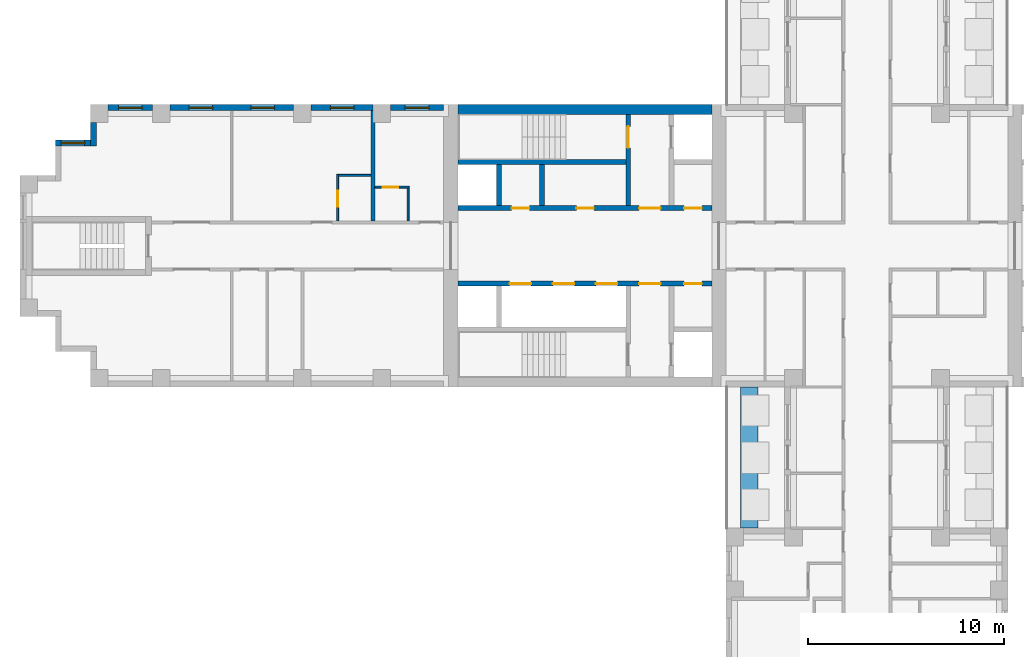
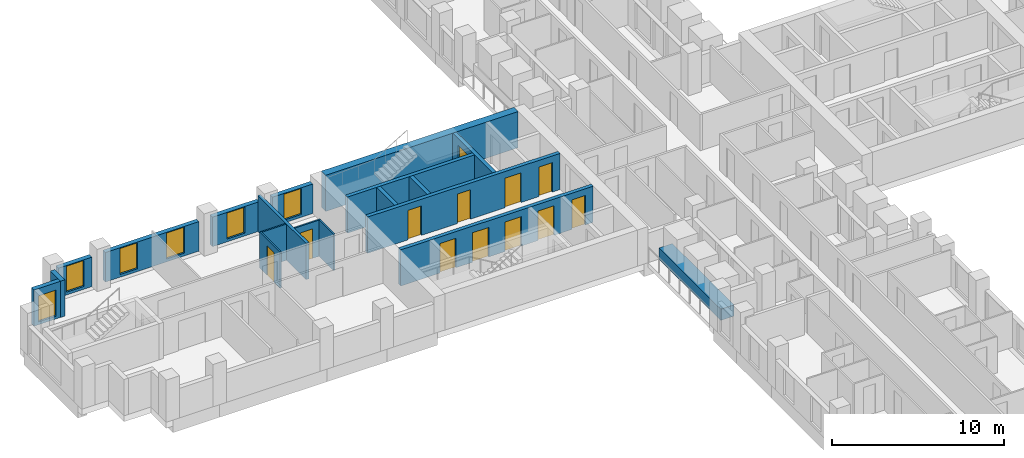
# One storey, part 6 of 15: 19 walls, 12 doors, 6 windows, 18 openings.
"""IFC4 building model written with IfcOpenShell, lengths in metres."""

import ifcopenshell
import ifcopenshell.guid

model = None  # the IFC model being written
_history = None  # IfcOwnerHistory: only IFC2X3 demands one
_inside = {}  # id of a spatial element -> (the spatial element, [elements in it])
_under = {}  # id of a project, library or spatial element -> (it, [spatial elements below it])
_declared = {}  # id of a project -> (the project, [libraries it declares])
_typed = {}  # id of a type object -> (the type object, [elements of that type])
_made_of = {}  # id of a material, layer set ... -> (it, [elements and type objects made of it])


def new_model(schema):
    """Start an empty IFC model of exactly this schema.

    Asked for "IFC4X3", IfcOpenShell would pick the latest addendum, in which some entities
    have other attributes; the version numbers below select the first issue.
    IFC2X3 requires an IfcOwnerHistory on every rooted entity: one is made here for all.
    """
    global model, _history
    if schema == "IFC4X3":
        model = ifcopenshell.file(schema_version=(4, 3, 0, 0))
    else:
        model = ifcopenshell.file(schema=schema)
    _inside.clear()
    _under.clear()
    _declared.clear()
    _typed.clear()
    _made_of.clear()
    _history = None
    if model.schema == "IFC2X3":
        org = make("IfcOrganization", Name="unknown")
        user = make(
            "IfcPersonAndOrganization",
            ThePerson=make("IfcPerson", FamilyName="unknown"),
            TheOrganization=org,
        )
        app = make(
            "IfcApplication",
            ApplicationDeveloper=org,
            Version="unknown",
            ApplicationFullName="unknown",
            ApplicationIdentifier="unknown",
        )
        _history = make(
            "IfcOwnerHistory",
            OwningUser=user,
            OwningApplication=app,
            ChangeAction="ADDED",
            CreationDate=0,
        )
    return model


def make(cls, **values):
    """One entity of the class cls with the attributes given. An attribute that is None is left unset."""
    return model.create_entity(
        cls, **{name: value for name, value in values.items() if value is not None}
    )


def rooted(cls, **values):
    """An entity with a GlobalId (a new one), such as an element, a storey or a relation."""
    return make(cls, GlobalId=ifcopenshell.guid.new(), OwnerHistory=_history, **values)


def si_unit(unit_type, name, prefix=None):
    """IfcSIUnit, for example si_unit("LENGTHUNIT", "METRE", prefix="MILLI")."""
    return make("IfcSIUnit", UnitType=unit_type, Prefix=prefix, Name=name)


def assignment(units):
    """IfcUnitAssignment: the units of a project."""
    return None if units is None else make("IfcUnitAssignment", Units=units)


def point(xyz):
    """IfcCartesianPoint."""
    return None if xyz is None else make("IfcCartesianPoint", Coordinates=xyz)


def direction(xyz):
    """IfcDirection."""
    return None if xyz is None else make("IfcDirection", DirectionRatios=xyz)


def frame(location, z_axis=None, x_axis=None):
    """IfcAxis2Placement3D, a coordinate frame: its origin and axes. An axis left out is left unset."""
    return make(
        "IfcAxis2Placement3D",
        Location=point(location),
        Axis=direction(z_axis),
        RefDirection=direction(x_axis),
    )


def frame_2d(location, x_axis=None):
    """IfcAxis2Placement2D, a coordinate frame in the plane: its origin and x axis."""
    return make(
        "IfcAxis2Placement2D", Location=point(location), RefDirection=direction(x_axis)
    )


def origin():
    """The frame at (0, 0, 0) with its axes left unset."""
    return frame((0.0, 0.0, 0.0))


def place(relative_to, where):
    """IfcLocalPlacement: puts the frame where relative to a parent placement (None: the world)."""
    return make(
        "IfcLocalPlacement", PlacementRelTo=relative_to, RelativePlacement=where
    )


def context(
    kind, dimensions, precision=None, world=None, true_north=None, identifier=None
):
    """IfcGeometricRepresentationContext, for example the 3D "Model" context."""
    return make(
        "IfcGeometricRepresentationContext",
        ContextIdentifier=identifier,
        ContextType=kind,
        CoordinateSpaceDimension=dimensions,
        Precision=precision,
        WorldCoordinateSystem=world,
        TrueNorth=true_north,
    )


def subcontext(parent, identifier, kind, view, scale=None):
    """IfcGeometricRepresentationSubContext, for example "Body" below "Model"."""
    return make(
        "IfcGeometricRepresentationSubContext",
        ContextIdentifier=identifier,
        ContextType=kind,
        ParentContext=parent,
        TargetScale=scale,
        TargetView=view,
    )


def project(units=None, contexts=None):
    """IfcProject with its units and contexts."""
    return rooted(
        "IfcProject",
        Name="project",
        RepresentationContexts=contexts,
        UnitsInContext=assignment(units),
    )


def spatial(cls, under=None, at=None, **own):
    """A site, building, storey or space (cls), placed at a placement, below another one or the project."""
    s = rooted(cls, ObjectPlacement=at, **own)
    if under is not None:
        _under.setdefault(under.id(), (under, []))[1].append(s)
    return s


def profile(cls, at=None, kind="AREA", **sizes):
    """A parametric profile (cls). Its sizes go by their IFC names, for example OverallWidth=200.0."""
    return make(cls, ProfileType=kind, Position=at, **sizes)


def rectangle(**sizes):
    """IfcRectangleProfileDef."""
    return profile("IfcRectangleProfileDef", **sizes)


def extrude(swept, where, along, depth):
    """IfcExtrudedAreaSolid: the profile swept, set in the frame where, extruded along a direction by depth."""
    return make(
        "IfcExtrudedAreaSolid",
        SweptArea=swept,
        Position=where,
        ExtrudedDirection=direction(along),
        Depth=depth,
    )


def shape(context_of_items, identifier, shape_type, items):
    """IfcShapeRepresentation: the items that make up one representation, for example the "Body"."""
    return make(
        "IfcShapeRepresentation",
        ContextOfItems=context_of_items,
        RepresentationIdentifier=identifier,
        RepresentationType=shape_type,
        Items=items,
    )


def material(Name=None, Category=None):
    """IfcMaterial."""
    return make("IfcMaterial", Name=Name, Category=Category)


def layer(
    of_material, thickness, ventilated=None, Name=None, Category=None, Priority=None
):
    """IfcMaterialLayer: one layer of a wall or slab, of a material (None: an air gap)."""
    return make(
        "IfcMaterialLayer",
        Material=of_material,
        LayerThickness=thickness,
        IsVentilated=ventilated,
        Name=Name,
        Category=Category,
        Priority=Priority,
    )


def layer_set(layers, Name=None):
    """IfcMaterialLayerSet."""
    return make("IfcMaterialLayerSet", MaterialLayers=layers, LayerSetName=Name)


def made_of(thing, what):
    """Note that an element or type object is made of a material, layer set ...; save() writes the relation."""
    if what is not None:
        _made_of.setdefault(what.id(), (what, []))[1].append(thing)
    return thing


def type_object(cls, material=None, **own):
    """A type object (cls), such as IfcWallType, which elements share."""
    return made_of(rooted(cls, **own), material)


def element(
    cls,
    number,
    at=None,
    inside=None,
    cuts=None,
    type_object=None,
    material=None,
    context=None,
    identifier="Body",
    shape_type=None,
    held_by="IfcProductDefinitionShape",
    body=None,
    shapes=None,
    **own,
):
    """One element of the class cls, such as IfcWall. Its Tag is "e" and its number.

    at: its placement. inside: the storey or other place that contains it. cuts: it is an
    opening in that element (IfcRelVoidsElement). A single representation is given by context,
    identifier, shape_type and body (its items); several are given by shapes. held_by: the class
    of the entity that holds the representations. save() writes the other relations.
    """
    e = rooted(cls, Tag="e%d" % number, ObjectPlacement=at, **own)
    if body is not None:
        shapes = [shape(context, identifier, shape_type, body)]
    if shapes is not None:
        e.Representation = make(held_by, Representations=shapes)
    if inside is not None:
        _inside.setdefault(inside.id(), (inside, []))[1].append(e)
    if cuts is not None:
        rooted(
            "IfcRelVoidsElement", RelatingBuildingElement=cuts, RelatedOpeningElement=e
        )
    if type_object is not None:
        _typed.setdefault(type_object.id(), (type_object, []))[1].append(e)
    return made_of(e, material)


def fill(opening, filler):
    """IfcRelFillsElement: the door or window that sits in an opening."""
    return rooted(
        "IfcRelFillsElement",
        RelatingOpeningElement=opening,
        RelatedBuildingElement=filler,
    )


def aggregate(whole, parts):
    """IfcRelAggregates: a whole, such as a stair, and the parts it consists of."""
    return rooted("IfcRelAggregates", RelatingObject=whole, RelatedObjects=parts)


def save(model, path):
    """Write the relations noted so far, then the file.

    IfcRelAggregates (storeys below a building ...), IfcRelContainedInSpatialStructure (elements
    in a storey), IfcRelDefinesByType, IfcRelAssociatesMaterial and IfcRelDeclares: one each for
    every whole, place, type object, material and project.
    """
    for whole, parts in _under.values():
        aggregate(whole, parts)
    for where, things in _inside.values():
        rooted(
            "IfcRelContainedInSpatialStructure",
            RelatedElements=things,
            RelatingStructure=where,
        )
    for kind, things in _typed.values():
        rooted("IfcRelDefinesByType", RelatedObjects=things, RelatingType=kind)
    for what, things in _made_of.values():
        rooted("IfcRelAssociatesMaterial", RelatedObjects=things, RelatingMaterial=what)
    for by, libraries in _declared.values():
        rooted("IfcRelDeclares", RelatingContext=by, RelatedDefinitions=libraries)
    model.write(path)


model = new_model("IFC4")

# Units and contexts
model_context = context("Model", 3, precision=1e-05, world=origin(), true_north=direction((0.0, 1.0)))
body_context = subcontext(model_context, "Body", "Model", "MODEL_VIEW")
ifc_project = project(units=[si_unit("LENGTHUNIT", "METRE"), si_unit("AREAUNIT", "SQUARE_METRE"), si_unit("VOLUMEUNIT", "CUBIC_METRE"), si_unit("PLANEANGLEUNIT", "RADIAN"), si_unit("MASSUNIT", "GRAM", prefix="KILO")], contexts=[model_context])

# Site, building, storey
site_placement = place(None, origin())
site = spatial("IfcSite", under=ifc_project, at=site_placement, CompositionType="ELEMENT")
building_placement = place(site_placement, origin())
building = spatial("IfcBuilding", under=site, at=building_placement, Name="Fustian Cross Tower", CompositionType="ELEMENT")
storey_placement = place(building_placement, frame((0.0, 0.0, 53.699951171875)))
storey = spatial("IfcBuildingStorey", under=building, at=storey_placement, Name="L16", CompositionType="ELEMENT", Elevation=53.699951171875)

# Wall
ifc_material_1 = material(Name="Concrete C80/95", Category="concrete")
ifc_layer_1 = layer(ifc_material_1, 0.5)
ifc_layer_set_1 = layer_set([ifc_layer_1], Name="Concrete C80/95")
wall_type_1 = type_object("IfcWallType", Name="CORE FACADE WALL 500 C80/95", PredefinedType="SHEAR", material=ifc_layer_set_1)
wall_1_placement = place(storey_placement, frame((-7.89990234375, 6.949951171875, 0.0), z_axis=(0.0, 0.0, 1.0), x_axis=(-1.0, 0.0, 0.0)))
element("IfcWall", 1, at=wall_1_placement, inside=storey, type_object=wall_type_1, Name="Core facade wall", PredefinedType="SHEAR", context=body_context, shape_type="SweptSolid", body=[
    extrude(rectangle(XDim=12.9501953125, YDim=0.5, at=frame_2d((6.47509765625, 0.0))), origin(), (0.0, 0.0, 1.0), 2.574951171875),
])

# Wall, openings, doors
ifc_material_2 = material(Name="Concrete C50/60", Category="concrete")
ifc_layer_2 = layer(ifc_material_2, 0.25)
ifc_layer_set_2 = layer_set([ifc_layer_2], Name="Concrete C50/60")
wall_type_2 = type_object("IfcWallType", Name="CORE LOBBY WALL 250 C50/60", PredefinedType="SHEAR", material=ifc_layer_set_2)
wall_2_placement = place(storey_placement, frame((-7.89990234375, 1.925048828125, 0.0), z_axis=(0.0, 0.0, 1.0), x_axis=(-1.0, 0.0, 0.0)))
wall_2 = element("IfcWall", 2, at=wall_2_placement, inside=storey, type_object=wall_type_2, Name="Core lobby wall", PredefinedType="SHEAR", context=body_context, shape_type="SweptSolid", body=[
    extrude(rectangle(XDim=12.9501953125, YDim=0.25, at=frame_2d((6.47509765625, 0.0))), origin(), (0.0, 0.0, 1.0), 2.574951171875),
])
opening_1_placement = place(wall_2_placement, frame((0.52490234375, 0.0, 0.0)))
opening_1 = element("IfcOpeningElement", 3, at=opening_1_placement, cuts=wall_2, Name="Opening CD-06-23", PredefinedType="OPENING", context=body_context, shape_type="SweptSolid", body=[
    extrude(rectangle(XDim=0.89990234375, YDim=2.10009765625, at=frame_2d((0.449951171875, 1.050048828125))), frame((0.0, 0.135009765625, 0.0), z_axis=(0.0, -1.0, 0.0), x_axis=(1.0, 0.0, 0.0)), (0.0, 0.0, 1.0), 0.27001953125),
])
opening_2_placement = place(wall_2_placement, frame((2.625, 0.0, 0.0)))
opening_2 = element("IfcOpeningElement", 4, at=opening_2_placement, cuts=wall_2, Name="Opening CD-06-25", PredefinedType="OPENING", context=body_context, shape_type="SweptSolid", body=[
    extrude(rectangle(XDim=1.10009765625, YDim=2.10009765625, at=frame_2d((0.550048828125, 1.050048828125))), frame((0.0, 0.135009765625, 0.0), z_axis=(0.0, -1.0, 0.0), x_axis=(1.0, 0.0, 0.0)), (0.0, 0.0, 1.0), 0.27001953125),
])
opening_3_placement = place(wall_2_placement, frame((6.02490234375, 0.0, 0.0)))
opening_3 = element("IfcOpeningElement", 5, at=opening_3_placement, cuts=wall_2, Name="Opening CD-06-29", PredefinedType="OPENING", context=body_context, shape_type="SweptSolid", body=[
    extrude(rectangle(XDim=0.89990234375, YDim=2.10009765625, at=frame_2d((0.449951171875, 1.050048828125))), frame((0.0, 0.135009765625, 0.0), z_axis=(0.0, -1.0, 0.0), x_axis=(1.0, 0.0, 0.0)), (0.0, 0.0, 1.0), 0.27001953125),
])
opening_4_placement = place(wall_2_placement, frame((9.324951171875, 0.0, 0.0)))
opening_4 = element("IfcOpeningElement", 6, at=opening_4_placement, cuts=wall_2, Name="Opening CD-06-30", PredefinedType="OPENING", context=body_context, shape_type="SweptSolid", body=[
    extrude(rectangle(XDim=0.89990234375, YDim=2.10009765625, at=frame_2d((0.449951171875, 1.050048828125))), frame((0.0, 0.135009765625, 0.0), z_axis=(0.0, -1.0, 0.0), x_axis=(1.0, 0.0, 0.0)), (0.0, 0.0, 1.0), 0.27001953125),
])
ifc_material_3 = material(Name="Steel", Category="steel")
door_type_1 = type_object("IfcDoorType", Name="FIRE DOOR FD30S 900X2100", OperationType="SINGLE_SWING_LEFT", PredefinedType="DOOR", material=ifc_material_3)
door_1_placement = place(opening_3_placement, frame((0.89990234375, 0.0, 0.0), z_axis=(0.0, 0.0, 1.0), x_axis=(-1.0, 0.0, 0.0)))
door_1 = element("IfcDoor", 7, at=door_1_placement, inside=storey, type_object=door_type_1, Name="Core door CD-06-29", OperationType="SINGLE_SWING_LEFT", OverallHeight=2.10009765625, OverallWidth=0.89990234375, PredefinedType="DOOR", context=body_context, shape_type="SweptSolid", body=[
    extrude(rectangle(XDim=0.89990234375, YDim=2.10009765625, at=frame_2d((0.449951171875, 1.050048828125))), frame((0.0, 0.02490234375, 0.0), z_axis=(0.0, -1.0, 0.0), x_axis=(1.0, 0.0, 0.0)), (0.0, 0.0, 1.0), 0.050048828125),
])
fill(opening_3, door_1)
door_2_placement = place(opening_4_placement, frame((0.89990234375, 0.0, 0.0), z_axis=(0.0, 0.0, 1.0), x_axis=(-1.0, 0.0, 0.0)))
door_2 = element("IfcDoor", 8, at=door_2_placement, inside=storey, type_object=door_type_1, Name="Core door CD-06-30", OperationType="SINGLE_SWING_RIGHT", OverallHeight=2.10009765625, OverallWidth=0.89990234375, PredefinedType="DOOR", context=body_context, shape_type="SweptSolid", body=[
    extrude(rectangle(XDim=0.89990234375, YDim=2.10009765625, at=frame_2d((0.449951171875, 1.050048828125))), frame((0.0, 0.02490234375, 0.0), z_axis=(0.0, -1.0, 0.0), x_axis=(1.0, 0.0, 0.0)), (0.0, 0.0, 1.0), 0.050048828125),
])
fill(opening_4, door_2)
ifc_material_4 = material(Name="Steel", Category="steel")
door_type_2 = type_object("IfcDoorType", Name="FIRE DOOR FD60S 1100X2100", OperationType="SINGLE_SWING_LEFT", PredefinedType="DOOR", material=ifc_material_4)
door_3_placement = place(opening_2_placement, frame((1.10009765625, 0.0, 0.0), z_axis=(0.0, 0.0, 1.0), x_axis=(-1.0, 0.0, 0.0)))
door_3 = element("IfcDoor", 9, at=door_3_placement, inside=storey, type_object=door_type_2, Name="Core door CD-06-25", OperationType="SINGLE_SWING_RIGHT", OverallHeight=2.10009765625, OverallWidth=1.10009765625, PredefinedType="DOOR", context=body_context, shape_type="SweptSolid", body=[
    extrude(rectangle(XDim=1.10009765625, YDim=2.10009765625, at=frame_2d((0.550048828125, 1.050048828125))), frame((0.0, 0.02490234375, 0.0), z_axis=(0.0, -1.0, 0.0), x_axis=(1.0, 0.0, 0.0)), (0.0, 0.0, 1.0), 0.050048828125),
])
fill(opening_2, door_3)
ifc_material_5 = material(Name="Steel", Category="steel")
door_type_3 = type_object("IfcDoorType", Name="FIRE DOOR FD60S 900X2100", OperationType="SINGLE_SWING_LEFT", PredefinedType="DOOR", material=ifc_material_5)
door_4_placement = place(opening_1_placement, frame((0.89990234375, 0.0, 0.0), z_axis=(0.0, 0.0, 1.0), x_axis=(-1.0, 0.0, 0.0)))
door_4 = element("IfcDoor", 10, at=door_4_placement, inside=storey, type_object=door_type_3, Name="Core door CD-06-23", OperationType="SINGLE_SWING_RIGHT", OverallHeight=2.10009765625, OverallWidth=0.89990234375, PredefinedType="DOOR", context=body_context, shape_type="SweptSolid", body=[
    extrude(rectangle(XDim=0.89990234375, YDim=2.10009765625, at=frame_2d((0.449951171875, 1.050048828125))), frame((0.0, 0.02490234375, 0.0), z_axis=(0.0, -1.0, 0.0), x_axis=(1.0, 0.0, 0.0)), (0.0, 0.0, 1.0), 0.050048828125),
])
fill(opening_1, door_4)

wall_3_placement = place(storey_placement, frame((-7.89990234375, -1.925048828125, 0.0), z_axis=(0.0, 0.0, 1.0), x_axis=(-1.0, 0.0, 0.0)))
wall_3 = element("IfcWall", 11, at=wall_3_placement, inside=storey, type_object=wall_type_2, Name="Core lobby wall", PredefinedType="SHEAR", context=body_context, shape_type="SweptSolid", body=[
    extrude(rectangle(XDim=12.9501953125, YDim=0.25, at=frame_2d((6.47509765625, 0.0))), origin(), (0.0, 0.0, 1.0), 2.574951171875),
])
opening_5_placement = place(wall_3_placement, frame((4.824951171875, 0.0, 0.0)))
opening_5 = element("IfcOpeningElement", 12, at=opening_5_placement, cuts=wall_3, Name="Opening LD", PredefinedType="OPENING", context=body_context, shape_type="SweptSolid", body=[
    extrude(rectangle(XDim=1.10009765625, YDim=2.10009765625, at=frame_2d((0.550048828125, 1.050048828125))), frame((0.0, 0.135009765625, 0.0), z_axis=(0.0, -1.0, 0.0), x_axis=(1.0, 0.0, 0.0)), (0.0, 0.0, 1.0), 0.27001953125),
])
opening_6_placement = place(wall_3_placement, frame((7.02490234375, 0.0, 0.0)))
opening_6 = element("IfcOpeningElement", 13, at=opening_6_placement, cuts=wall_3, Name="Opening LD", PredefinedType="OPENING", context=body_context, shape_type="SweptSolid", body=[
    extrude(rectangle(XDim=1.10009765625, YDim=2.10009765625, at=frame_2d((0.550048828125, 1.050048828125))), frame((0.0, 0.135009765625, 0.0), z_axis=(0.0, -1.0, 0.0), x_axis=(1.0, 0.0, 0.0)), (0.0, 0.0, 1.0), 0.27001953125),
])
opening_7_placement = place(wall_3_placement, frame((9.22509765625, 0.0, 0.0)))
opening_7 = element("IfcOpeningElement", 14, at=opening_7_placement, cuts=wall_3, Name="Opening LD", PredefinedType="OPENING", context=body_context, shape_type="SweptSolid", body=[
    extrude(rectangle(XDim=1.10009765625, YDim=2.10009765625, at=frame_2d((0.550048828125, 1.050048828125))), frame((0.0, 0.135009765625, 0.0), z_axis=(0.0, -1.0, 0.0), x_axis=(1.0, 0.0, 0.0)), (0.0, 0.0, 1.0), 0.27001953125),
])
opening_8_placement = place(wall_3_placement, frame((0.52490234375, 0.0, 0.0)))
opening_8 = element("IfcOpeningElement", 15, at=opening_8_placement, cuts=wall_3, Name="Opening CD-06-24", PredefinedType="OPENING", context=body_context, shape_type="SweptSolid", body=[
    extrude(rectangle(XDim=0.89990234375, YDim=2.10009765625, at=frame_2d((0.449951171875, 1.050048828125))), frame((0.0, 0.135009765625, 0.0), z_axis=(0.0, -1.0, 0.0), x_axis=(1.0, 0.0, 0.0)), (0.0, 0.0, 1.0), 0.27001953125),
])
opening_9_placement = place(wall_3_placement, frame((2.625, 0.0, 0.0)))
opening_9 = element("IfcOpeningElement", 16, at=opening_9_placement, cuts=wall_3, Name="Opening CD-06-26", PredefinedType="OPENING", context=body_context, shape_type="SweptSolid", body=[
    extrude(rectangle(XDim=1.10009765625, YDim=2.10009765625, at=frame_2d((0.550048828125, 1.050048828125))), frame((0.0, 0.135009765625, 0.0), z_axis=(0.0, -1.0, 0.0), x_axis=(1.0, 0.0, 0.0)), (0.0, 0.0, 1.0), 0.27001953125),
])
ifc_material_6 = material(Name="Steel", Category="steel")
door_type_4 = type_object("IfcDoorType", Name="FIRE DOOR FD30S 1100X2100", OperationType="SINGLE_SWING_LEFT", PredefinedType="DOOR", material=ifc_material_6)
door_5_placement = place(opening_9_placement, frame((1.10009765625, 0.0, 0.0), z_axis=(0.0, 0.0, 1.0), x_axis=(-1.0, 0.0, 0.0)))
door_5 = element("IfcDoor", 17, at=door_5_placement, inside=storey, type_object=door_type_4, Name="Core door CD-06-26", OperationType="SINGLE_SWING_RIGHT", OverallHeight=2.10009765625, OverallWidth=1.10009765625, PredefinedType="DOOR", context=body_context, shape_type="SweptSolid", body=[
    extrude(rectangle(XDim=1.10009765625, YDim=2.10009765625, at=frame_2d((0.550048828125, 1.050048828125))), frame((0.0, 0.02490234375, 0.0), z_axis=(0.0, -1.0, 0.0), x_axis=(1.0, 0.0, 0.0)), (0.0, 0.0, 1.0), 0.050048828125),
])
fill(opening_9, door_5)
door_6_placement = place(opening_8_placement, origin())
door_6 = element("IfcDoor", 18, at=door_6_placement, inside=storey, type_object=door_type_1, Name="Core door CD-06-24", OperationType="SINGLE_SWING_LEFT", OverallHeight=2.10009765625, OverallWidth=0.89990234375, PredefinedType="DOOR", context=body_context, shape_type="SweptSolid", body=[
    extrude(rectangle(XDim=0.89990234375, YDim=2.10009765625, at=frame_2d((0.449951171875, 1.050048828125))), frame((0.0, 0.02490234375, 0.0), z_axis=(0.0, -1.0, 0.0), x_axis=(1.0, 0.0, 0.0)), (0.0, 0.0, 1.0), 0.050048828125),
])
fill(opening_8, door_6)
ifc_material_7 = material(Name="Stainless steel", Category="steel")
door_type_5 = type_object("IfcDoorType", Name="LIFT LANDING DOOR 1100X2100", OperationType="SLIDING_TO_LEFT", PredefinedType="DOOR", material=ifc_material_7)
door_7_placement = place(opening_5_placement, origin())
door_7 = element("IfcDoor", 19, at=door_7_placement, inside=storey, type_object=door_type_5, Name="Landing door LR1W", OperationType="SLIDING_TO_LEFT", OverallHeight=2.10009765625, OverallWidth=1.10009765625, PredefinedType="DOOR", context=body_context, shape_type="SweptSolid", body=[
    extrude(rectangle(XDim=1.10009765625, YDim=2.10009765625, at=frame_2d((0.550048828125, 1.050048828125))), frame((0.0, 0.02490234375, 0.0), z_axis=(0.0, -1.0, 0.0), x_axis=(1.0, 0.0, 0.0)), (0.0, 0.0, 1.0), 0.050048828125),
])
fill(opening_5, door_7)
door_8_placement = place(opening_6_placement, origin())
door_8 = element("IfcDoor", 20, at=door_8_placement, inside=storey, type_object=door_type_5, Name="Landing door LR2W", OperationType="SLIDING_TO_LEFT", OverallHeight=2.10009765625, OverallWidth=1.10009765625, PredefinedType="DOOR", context=body_context, shape_type="SweptSolid", body=[
    extrude(rectangle(XDim=1.10009765625, YDim=2.10009765625, at=frame_2d((0.550048828125, 1.050048828125))), frame((0.0, 0.02490234375, 0.0), z_axis=(0.0, -1.0, 0.0), x_axis=(1.0, 0.0, 0.0)), (0.0, 0.0, 1.0), 0.050048828125),
])
fill(opening_6, door_8)
door_9_placement = place(opening_7_placement, origin())
door_9 = element("IfcDoor", 21, at=door_9_placement, inside=storey, type_object=door_type_5, Name="Landing door LR3W", OperationType="SLIDING_TO_LEFT", OverallHeight=2.10009765625, OverallWidth=1.10009765625, PredefinedType="DOOR", context=body_context, shape_type="SweptSolid", body=[
    extrude(rectangle(XDim=1.10009765625, YDim=2.10009765625, at=frame_2d((0.550048828125, 1.050048828125))), frame((0.0, 0.02490234375, 0.0), z_axis=(0.0, -1.0, 0.0), x_axis=(1.0, 0.0, 0.0)), (0.0, 0.0, 1.0), 0.050048828125),
])
fill(opening_7, door_9)

# Wall
ifc_material_8 = material(Name="Concrete C50/60", Category="concrete")
ifc_layer_3 = layer(ifc_material_8, 0.25)
ifc_layer_set_3 = layer_set([ifc_layer_3], Name="Concrete C50/60")
wall_type_3 = type_object("IfcWallType", Name="CORE SHAFT WALL 250 C50/60", PredefinedType="SHEAR", material=ifc_layer_set_3)
wall_4_placement = place(storey_placement, frame((-12.300048828125, 4.27490234375, 0.0), z_axis=(0.0, 0.0, 1.0), x_axis=(-1.0, 0.0, 0.0)))
element("IfcWall", 22, at=wall_4_placement, inside=storey, type_object=wall_type_3, Name="Core shaft wall", PredefinedType="SHEAR", context=body_context, shape_type="SweptSolid", body=[
    extrude(rectangle(XDim=8.550048828125, YDim=0.25, at=frame_2d((4.27490234375, 0.0))), origin(), (0.0, 0.0, 1.0), 2.574951171875),
])

# Wall, opening, door
wall_5_placement = place(storey_placement, frame((-12.175048828125, 2.050048828125, 0.0), z_axis=(0.0, 0.0, 1.0), x_axis=(0.0, 1.0, 0.0)))
wall_5 = element("IfcWall", 23, at=wall_5_placement, inside=storey, type_object=wall_type_3, Name="Core shaft wall", PredefinedType="SHEAR", context=body_context, shape_type="SweptSolid", body=[
    extrude(rectangle(XDim=4.64990234375, YDim=0.25, at=frame_2d((2.324951171875, 0.0))), origin(), (0.0, 0.0, 1.0), 2.574951171875),
])
opening_10_placement = place(wall_5_placement, frame((2.949951171875, 0.0, 0.0)))
opening_10 = element("IfcOpeningElement", 24, at=opening_10_placement, cuts=wall_5, Name="Opening CD-06-21", PredefinedType="OPENING", context=body_context, shape_type="SweptSolid", body=[
    extrude(rectangle(XDim=1.10009765625, YDim=2.10009765625, at=frame_2d((0.550048828125, 1.050048828125))), frame((0.0, 0.135009765625, 0.0), z_axis=(0.0, -1.0, 0.0), x_axis=(1.0, 0.0, 0.0)), (0.0, 0.0, 1.0), 0.27001953125),
])
door_10_placement = place(opening_10_placement, origin())
door_10 = element("IfcDoor", 25, at=door_10_placement, inside=storey, type_object=door_type_2, Name="Core door CD-06-21", OperationType="SINGLE_SWING_LEFT", OverallHeight=2.10009765625, OverallWidth=1.10009765625, PredefinedType="DOOR", context=body_context, shape_type="SweptSolid", body=[
    extrude(rectangle(XDim=1.10009765625, YDim=2.10009765625, at=frame_2d((0.550048828125, 1.050048828125))), frame((0.0, 0.02490234375, 0.0), z_axis=(0.0, -1.0, 0.0), x_axis=(1.0, 0.0, 0.0)), (0.0, 0.0, 1.0), 0.050048828125),
])
fill(opening_10, door_10)

ifc_material_9 = material(Name="Plasterboard on steel stud", Category="steel")
ifc_layer_4 = layer(ifc_material_9, 0.10009765625)
ifc_layer_set_4 = layer_set([ifc_layer_4], Name="Plasterboard on steel stud")
wall_type_4 = type_object("IfcWallType", Name="PARTITION 100 STUD", PredefinedType="PARTITIONING", material=ifc_layer_set_4)
wall_6_placement = place(storey_placement, frame((-27.0, 1.27490234375, 0.0), z_axis=(0.0, 0.0, 1.0), x_axis=(0.0, 1.0, 0.0)))
wall_6 = element("IfcWall", 26, at=wall_6_placement, inside=storey, type_object=wall_type_4, Name="Partition 7", PredefinedType="PARTITIONING", context=body_context, shape_type="SweptSolid", body=[
    extrude(rectangle(XDim=2.375, YDim=0.10009765625, at=frame_2d((1.1875, 0.0))), origin(), (0.0, 0.0, 1.0), 2.574951171875),
])
opening_11_placement = place(wall_6_placement, frame((0.72509765625, 0.0, 0.0)))
opening_11 = element("IfcOpeningElement", 27, at=opening_11_placement, cuts=wall_6, Name="Opening D09050", PredefinedType="OPENING", context=body_context, shape_type="SweptSolid", body=[
    extrude(rectangle(XDim=0.800048828125, YDim=2.10009765625, at=frame_2d((0.39990234375, 1.050048828125))), frame((0.0, 0.06005859375, 0.0), z_axis=(0.0, -1.0, 0.0), x_axis=(1.0, 0.0, 0.0)), (0.0, 0.0, 1.0), 0.1201171875),
])
ifc_material_10 = material(Name="Painted timber", Category="wood")
door_type_6 = type_object("IfcDoorType", Name="SWING DOOR 800", OperationType="SINGLE_SWING_LEFT", PredefinedType="DOOR", material=ifc_material_10)
door_11_placement = place(opening_11_placement, frame((0.800048828125, 0.0, 0.0), z_axis=(0.0, 0.0, 1.0), x_axis=(-1.0, 0.0, 0.0)))
door_11 = element("IfcDoor", 28, at=door_11_placement, inside=storey, type_object=door_type_6, Name="Door D09050", OperationType="SINGLE_SWING_RIGHT", OverallHeight=2.10009765625, OverallWidth=0.800048828125, PredefinedType="DOOR", context=body_context, shape_type="SweptSolid", body=[
    extrude(rectangle(XDim=0.800048828125, YDim=2.10009765625, at=frame_2d((0.39990234375, 1.050048828125))), frame((0.0, 0.02490234375, 0.0), z_axis=(0.0, -1.0, 0.0), x_axis=(1.0, 0.0, 0.0)), (0.0, 0.0, 1.0), 0.050048828125),
])
fill(opening_11, door_11)

# Wall
wall_7_placement = place(storey_placement, frame((-26.949951171875, 3.60009765625, 0.0), z_axis=(0.0, 0.0, 1.0), x_axis=(1.0, 0.0, 0.0)))
element("IfcWall", 29, at=wall_7_placement, inside=storey, type_object=wall_type_4, Name="Partition 8", PredefinedType="PARTITIONING", context=body_context, shape_type="SweptSolid", body=[
    extrude(rectangle(XDim=1.64990234375, YDim=0.10009765625, at=frame_2d((0.824951171875, 0.0))), origin(), (0.0, 0.0, 1.0), 2.574951171875),
])

# Wall, opening, door
wall_8_placement = place(storey_placement, frame((-25.10009765625, 3.0, 0.0), z_axis=(0.0, 0.0, 1.0), x_axis=(1.0, 0.0, 0.0)))
wall_8 = element("IfcWall", 30, at=wall_8_placement, inside=storey, type_object=wall_type_4, Name="Partition 10", PredefinedType="PARTITIONING", context=body_context, shape_type="SweptSolid", body=[
    extrude(rectangle(XDim=1.75, YDim=0.10009765625, at=frame_2d((0.875, 0.0))), origin(), (0.0, 0.0, 1.0), 2.574951171875),
])
opening_12_placement = place(wall_8_placement, frame((0.39990234375, 0.0, 0.0)))
opening_12 = element("IfcOpeningElement", 31, at=opening_12_placement, cuts=wall_8, Name="Opening D09048", PredefinedType="OPENING", context=body_context, shape_type="SweptSolid", body=[
    extrude(rectangle(XDim=0.800048828125, YDim=2.10009765625, at=frame_2d((0.39990234375, 1.050048828125))), frame((0.0, 0.06005859375, 0.0), z_axis=(0.0, -1.0, 0.0), x_axis=(1.0, 0.0, 0.0)), (0.0, 0.0, 1.0), 0.1201171875),
])
door_12_placement = place(opening_12_placement, frame((0.800048828125, 0.0, 0.0), z_axis=(0.0, 0.0, 1.0), x_axis=(-1.0, 0.0, 0.0)))
door_12 = element("IfcDoor", 32, at=door_12_placement, inside=storey, type_object=door_type_6, Name="Door D09048", OperationType="SINGLE_SWING_LEFT", OverallHeight=2.10009765625, OverallWidth=0.800048828125, PredefinedType="DOOR", context=body_context, shape_type="SweptSolid", body=[
    extrude(rectangle(XDim=0.800048828125, YDim=2.10009765625, at=frame_2d((0.39990234375, 1.050048828125))), frame((0.0, 0.02490234375, 0.0), z_axis=(0.0, -1.0, 0.0), x_axis=(1.0, 0.0, 0.0)), (0.0, 0.0, 1.0), 0.050048828125),
])
fill(opening_12, door_12)

# Walls
wall_9_placement = place(storey_placement, frame((-23.39990234375, 1.27490234375, 0.0), z_axis=(0.0, 0.0, 1.0), x_axis=(0.0, 1.0, 0.0)))
element("IfcWall", 33, at=wall_9_placement, inside=storey, type_object=wall_type_4, Name="Partition 11", PredefinedType="PARTITIONING", context=body_context, shape_type="SweptSolid", body=[
    extrude(rectangle(XDim=1.675048828125, YDim=0.10009765625, at=frame_2d((0.83740234375, 0.0))), origin(), (0.0, 0.0, 1.0), 2.574951171875),
])
ifc_material_11 = material(Name="Plasterboard on steel stud", Category="steel")
ifc_layer_5 = layer(ifc_material_11, 0.199951171875)
ifc_layer_set_5 = layer_set([ifc_layer_5], Name="Plasterboard on steel stud")
wall_type_5 = type_object("IfcWallType", Name="PARTY WALL 200 EI 60", PredefinedType="PARTITIONING", material=ifc_layer_set_5)
wall_10_placement = place(storey_placement, frame((-25.199951171875, 1.27490234375, 0.0), z_axis=(0.0, 0.0, 1.0), x_axis=(0.0, 1.0, 0.0)))
element("IfcWall", 34, at=wall_10_placement, inside=storey, type_object=wall_type_5, Name="Partition 9", PredefinedType="PARTITIONING", context=body_context, shape_type="SweptSolid", body=[
    extrude(rectangle(XDim=5.625, YDim=0.199951171875, at=frame_2d((2.8125, 0.0))), origin(), (0.0, 0.0, 1.0), 2.574951171875),
])
ifc_material_12 = material(Name="Concrete C40/50", Category="concrete")
ifc_layer_6 = layer(ifc_material_12, 0.89990234375)
ifc_layer_set_6 = layer_set([ifc_layer_6], Name="Concrete C40/50")
wall_type_6 = type_object("IfcWallType", Name="PK1 PLANTER 900", PredefinedType="PARAPET", material=ifc_layer_set_6)
wall_11_placement = place(storey_placement, frame((-6.0, -14.39990234375, 0.0), z_axis=(0.0, 0.0, 1.0), x_axis=(0.0, 1.0, 0.0)))
element("IfcWall", 35, at=wall_11_placement, inside=storey, type_object=wall_type_6, Name="PLANTER", PredefinedType="PARAPET", context=body_context, shape_type="SweptSolid", body=[
    extrude(rectangle(XDim=7.199951171875, YDim=0.89990234375, at=frame_2d((3.60009765625, 0.0))), origin(), (0.0, 0.0, 1.0), 0.800048828125),
])
ifc_material_13 = material(Name="Concrete C40/50", Category="concrete")
ifc_layer_7 = layer(ifc_material_13, 0.25)
ifc_layer_set_7 = layer_set([ifc_layer_7], Name="Concrete C40/50")
wall_type_7 = type_object("IfcWallType", Name="SHAFT PARTITION WALL 250 C40/50", PredefinedType="PARTITIONING", material=ifc_layer_set_7)
for number, where, z_axis, x_axis, name in (
    (36, (-16.574951171875, 2.050048828125, 0.0), (0.0, 0.0, 1.0), (0.0, 1.0, 0.0), "Core shaft wall"),
    (37, (-18.77490234375, 2.050048828125, 0.0), (0.0, 0.0, 1.0), (0.0, 1.0, 0.0), "Core shaft wall"),
):
    element("IfcWall", number, at=place(storey_placement, frame(where, z_axis=z_axis, x_axis=x_axis)), inside=storey, type_object=wall_type_7, Name=name, PredefinedType="PARTITIONING", context=body_context, shape_type="SweptSolid", body=[
        extrude(rectangle(XDim=2.099853515625, YDim=0.25, at=frame_2d((1.0498046875, 0.0))), origin(), (0.0, 0.0, 1.0), 2.574951171875),
    ])

# Wall, opening, window
ifc_material_14 = material(Name="Dark aluminium cladding on insulated backing wall", Category="aluminium")
ifc_layer_8 = layer(ifc_material_14, 0.300048828125)
ifc_layer_set_8 = layer_set([ifc_layer_8], Name="Dark aluminium cladding on insulated backing wall")
wall_type_8 = type_object("IfcWallType", Name="XW1 EXTERNAL WALL 300", PredefinedType="SOLIDWALL", material=ifc_layer_set_8)
wall_12_placement = place(storey_placement, frame((-21.60009765625, 7.050048828125, 0.0), z_axis=(0.0, 0.0, 1.0), x_axis=(-1.0, 0.0, 0.0)))
wall_12 = element("IfcWall", 38, at=wall_12_placement, inside=storey, type_object=wall_type_8, Name="External wall", PredefinedType="SOLIDWALL", context=body_context, shape_type="SweptSolid", body=[
    extrude(rectangle(XDim=2.699951171875, YDim=0.300048828125, at=frame_2d((1.35009765625, 0.0))), origin(), (0.0, 0.0, 1.0), 2.10009765625),
])
opening_13_placement = place(wall_12_placement, frame((0.75, 0.0, 0.199951171875)))
opening_13 = element("IfcOpeningElement", 39, at=opening_13_placement, cuts=wall_12, Name="Opening WN3", PredefinedType="OPENING", context=body_context, shape_type="SweptSolid", body=[
    extrude(rectangle(XDim=1.199951171875, YDim=1.85009765625, at=frame_2d((0.60009765625, 0.925048828125))), frame((0.0, 0.159912109375, 0.0), z_axis=(0.0, -1.0, 0.0), x_axis=(1.0, 0.0, 0.0)), (0.0, 0.0, 1.0), 0.320068359375),
])
ifc_material_15 = material(Name="Dark anodised aluminium and double glazing", Category="aluminium")
window_type = type_object("IfcWindowType", Name="WN3 WINDOW 1200X1850", PartitioningType="SINGLE_PANEL", PredefinedType="WINDOW", material=ifc_material_15)
window_1_placement = place(opening_13_placement, origin())
window_1 = element("IfcWindow", 40, at=window_1_placement, inside=storey, type_object=window_type, Name="Window", OverallHeight=1.85009765625, OverallWidth=1.199951171875, PartitioningType="SINGLE_PANEL", PredefinedType="WINDOW", context=body_context, shape_type="SweptSolid", body=[
    extrude(rectangle(XDim=1.199951171875, YDim=1.85009765625, at=frame_2d((0.60009765625, 0.925048828125))), frame((0.0, 0.030029296875, 0.0), z_axis=(0.0, -1.0, 0.0), x_axis=(1.0, 0.0, 0.0)), (0.0, 0.0, 1.0), 0.06005859375),
])
fill(opening_13, window_1)

wall_13_placement = place(storey_placement, frame((-25.199951171875, 7.050048828125, 0.0), z_axis=(0.0, 0.0, 1.0), x_axis=(-1.0, 0.0, 0.0)))
wall_13 = element("IfcWall", 41, at=wall_13_placement, inside=storey, type_object=wall_type_8, Name="External wall", PredefinedType="SOLIDWALL", context=body_context, shape_type="SweptSolid", body=[
    extrude(rectangle(XDim=3.150146484375, YDim=0.300048828125, at=frame_2d((1.5751953125, 0.0))), origin(), (0.0, 0.0, 1.0), 2.10009765625),
])
opening_14_placement = place(wall_13_placement, frame((0.97509765625, 0.0, 0.199951171875)))
opening_14 = element("IfcOpeningElement", 42, at=opening_14_placement, cuts=wall_13, Name="Opening WN3", PredefinedType="OPENING", context=body_context, shape_type="SweptSolid", body=[
    extrude(rectangle(XDim=1.199951171875, YDim=1.85009765625, at=frame_2d((0.60009765625, 0.925048828125))), frame((0.0, 0.159912109375, 0.0), z_axis=(0.0, -1.0, 0.0), x_axis=(1.0, 0.0, 0.0)), (0.0, 0.0, 1.0), 0.320068359375),
])
window_2_placement = place(opening_14_placement, origin())
window_2 = element("IfcWindow", 43, at=window_2_placement, inside=storey, type_object=window_type, Name="Window", OverallHeight=1.85009765625, OverallWidth=1.199951171875, PartitioningType="SINGLE_PANEL", PredefinedType="WINDOW", context=body_context, shape_type="SweptSolid", body=[
    extrude(rectangle(XDim=1.199951171875, YDim=1.85009765625, at=frame_2d((0.60009765625, 0.925048828125))), frame((0.0, 0.030029296875, 0.0), z_axis=(0.0, -1.0, 0.0), x_axis=(1.0, 0.0, 0.0)), (0.0, 0.0, 1.0), 0.06005859375),
])
fill(opening_14, window_2)

# Wall, openings, windows
wall_14_placement = place(storey_placement, frame((-29.25, 7.050048828125, 0.0), z_axis=(0.0, 0.0, 1.0), x_axis=(-1.0, 0.0, 0.0)))
wall_14 = element("IfcWall", 44, at=wall_14_placement, inside=storey, type_object=wall_type_8, Name="External wall", PredefinedType="SOLIDWALL", context=body_context, shape_type="SweptSolid", body=[
    extrude(rectangle(XDim=6.300048828125, YDim=0.300048828125, at=frame_2d((3.14990234375, 0.0))), origin(), (0.0, 0.0, 1.0), 2.10009765625),
])
opening_15_placement = place(wall_14_placement, frame((0.97509765625, 0.0, 0.199951171875)))
opening_15 = element("IfcOpeningElement", 45, at=opening_15_placement, cuts=wall_14, Name="Opening WN3", PredefinedType="OPENING", context=body_context, shape_type="SweptSolid", body=[
    extrude(rectangle(XDim=1.199951171875, YDim=1.85009765625, at=frame_2d((0.60009765625, 0.925048828125))), frame((0.0, 0.159912109375, 0.0), z_axis=(0.0, -1.0, 0.0), x_axis=(1.0, 0.0, 0.0)), (0.0, 0.0, 1.0), 0.320068359375),
])
opening_16_placement = place(wall_14_placement, frame((4.125, 0.0, 0.199951171875)))
opening_16 = element("IfcOpeningElement", 46, at=opening_16_placement, cuts=wall_14, Name="Opening WN3", PredefinedType="OPENING", context=body_context, shape_type="SweptSolid", body=[
    extrude(rectangle(XDim=1.199951171875, YDim=1.85009765625, at=frame_2d((0.60009765625, 0.925048828125))), frame((0.0, 0.159912109375, 0.0), z_axis=(0.0, -1.0, 0.0), x_axis=(1.0, 0.0, 0.0)), (0.0, 0.0, 1.0), 0.320068359375),
])
window_3_placement = place(opening_15_placement, origin())
window_3 = element("IfcWindow", 47, at=window_3_placement, inside=storey, type_object=window_type, Name="Window", OverallHeight=1.85009765625, OverallWidth=1.199951171875, PartitioningType="SINGLE_PANEL", PredefinedType="WINDOW", context=body_context, shape_type="SweptSolid", body=[
    extrude(rectangle(XDim=1.199951171875, YDim=1.85009765625, at=frame_2d((0.60009765625, 0.925048828125))), frame((0.0, 0.030029296875, 0.0), z_axis=(0.0, -1.0, 0.0), x_axis=(1.0, 0.0, 0.0)), (0.0, 0.0, 1.0), 0.06005859375),
])
fill(opening_15, window_3)
window_4_placement = place(opening_16_placement, origin())
window_4 = element("IfcWindow", 48, at=window_4_placement, inside=storey, type_object=window_type, Name="Window", OverallHeight=1.85009765625, OverallWidth=1.199951171875, PartitioningType="SINGLE_PANEL", PredefinedType="WINDOW", context=body_context, shape_type="SweptSolid", body=[
    extrude(rectangle(XDim=1.199951171875, YDim=1.85009765625, at=frame_2d((0.60009765625, 0.925048828125))), frame((0.0, 0.030029296875, 0.0), z_axis=(0.0, -1.0, 0.0), x_axis=(1.0, 0.0, 0.0)), (0.0, 0.0, 1.0), 0.06005859375),
])
fill(opening_16, window_4)

# Wall, opening, window
wall_15_placement = place(storey_placement, frame((-36.449951171875, 7.050048828125, 0.0), z_axis=(0.0, 0.0, 1.0), x_axis=(-1.0, 0.0, 0.0)))
wall_15 = element("IfcWall", 49, at=wall_15_placement, inside=storey, type_object=wall_type_8, Name="External wall", PredefinedType="SOLIDWALL", context=body_context, shape_type="SweptSolid", body=[
    extrude(rectangle(XDim=2.25, YDim=0.300048828125, at=frame_2d((1.125, 0.0))), origin(), (0.0, 0.0, 1.0), 2.10009765625),
])
opening_17_placement = place(wall_15_placement, frame((0.52490234375, 0.0, 0.199951171875)))
opening_17 = element("IfcOpeningElement", 50, at=opening_17_placement, cuts=wall_15, Name="Opening WN3", PredefinedType="OPENING", context=body_context, shape_type="SweptSolid", body=[
    extrude(rectangle(XDim=1.199951171875, YDim=1.85009765625, at=frame_2d((0.60009765625, 0.925048828125))), frame((0.0, 0.159912109375, 0.0), z_axis=(0.0, -1.0, 0.0), x_axis=(1.0, 0.0, 0.0)), (0.0, 0.0, 1.0), 0.320068359375),
])
window_5_placement = place(opening_17_placement, origin())
window_5 = element("IfcWindow", 51, at=window_5_placement, inside=storey, type_object=window_type, Name="Window", OverallHeight=1.85009765625, OverallWidth=1.199951171875, PartitioningType="SINGLE_PANEL", PredefinedType="WINDOW", context=body_context, shape_type="SweptSolid", body=[
    extrude(rectangle(XDim=1.199951171875, YDim=1.85009765625, at=frame_2d((0.60009765625, 0.925048828125))), frame((0.0, 0.030029296875, 0.0), z_axis=(0.0, -1.0, 0.0), x_axis=(1.0, 0.0, 0.0)), (0.0, 0.0, 1.0), 0.06005859375),
])
fill(opening_17, window_5)

# Wall
wall_16_placement = place(storey_placement, frame((-39.449951171875, 6.300048828125, 0.0), z_axis=(0.0, 0.0, 1.0), x_axis=(0.0, -1.0, 0.0)))
element("IfcWall", 52, at=wall_16_placement, inside=storey, type_object=wall_type_8, Name="External wall", PredefinedType="SOLIDWALL", context=body_context, shape_type="SweptSolid", body=[
    extrude(rectangle(XDim=1.199951171875, YDim=0.300048828125, at=frame_2d((0.60009765625, 0.0))), origin(), (0.0, 0.0, 1.0), 2.574951171875),
])

# Wall, opening, window
wall_17_placement = place(storey_placement, frame((-39.60009765625, 5.25, 0.0), z_axis=(0.0, 0.0, 1.0), x_axis=(-1.0, 0.0, 0.0)))
wall_17 = element("IfcWall", 53, at=wall_17_placement, inside=storey, type_object=wall_type_8, Name="External wall", PredefinedType="SOLIDWALL", context=body_context, shape_type="SweptSolid", body=[
    extrude(rectangle(XDim=1.7998046875, YDim=0.300048828125, at=frame_2d((0.89990234375, 0.0))), origin(), (0.0, 0.0, 1.0), 2.574951171875),
])
opening_18_placement = place(wall_17_placement, frame((0.300048828125, 0.0, 0.199951171875)))
opening_18 = element("IfcOpeningElement", 54, at=opening_18_placement, cuts=wall_17, Name="Opening WN3", PredefinedType="OPENING", context=body_context, shape_type="SweptSolid", body=[
    extrude(rectangle(XDim=1.199951171875, YDim=1.85009765625, at=frame_2d((0.60009765625, 0.925048828125))), frame((0.0, 0.159912109375, 0.0), z_axis=(0.0, -1.0, 0.0), x_axis=(1.0, 0.0, 0.0)), (0.0, 0.0, 1.0), 0.320068359375),
])
window_6_placement = place(opening_18_placement, origin())
window_6 = element("IfcWindow", 55, at=window_6_placement, inside=storey, type_object=window_type, Name="Window", OverallHeight=1.85009765625, OverallWidth=1.199951171875, PartitioningType="SINGLE_PANEL", PredefinedType="WINDOW", context=body_context, shape_type="SweptSolid", body=[
    extrude(rectangle(XDim=1.199951171875, YDim=1.85009765625, at=frame_2d((0.60009765625, 0.925048828125))), frame((0.0, 0.030029296875, 0.0), z_axis=(0.0, -1.0, 0.0), x_axis=(1.0, 0.0, 0.0)), (0.0, 0.0, 1.0), 0.06005859375),
])
fill(opening_18, window_6)

save(model, "model.ifc")
